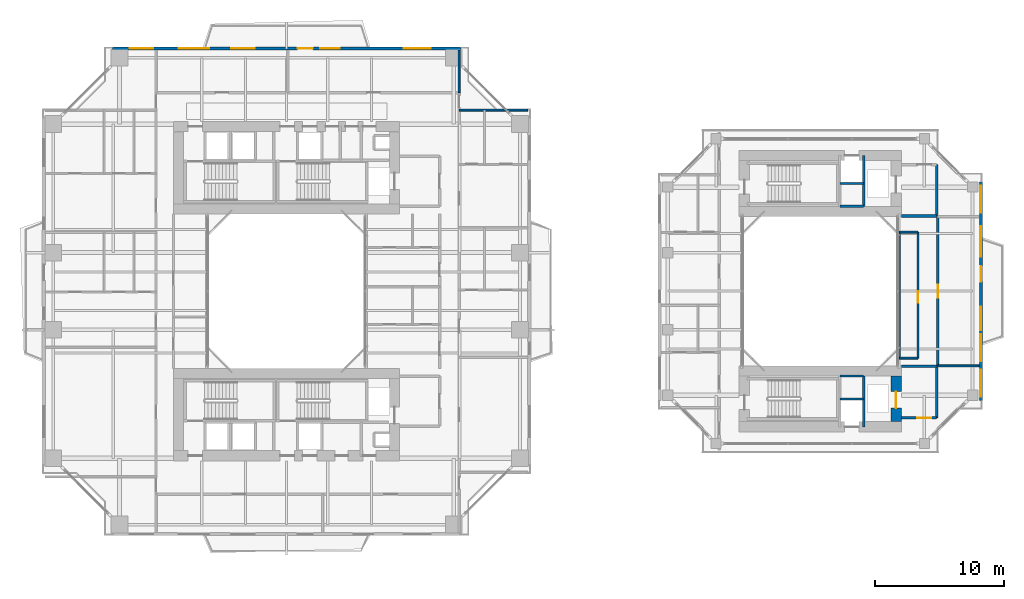
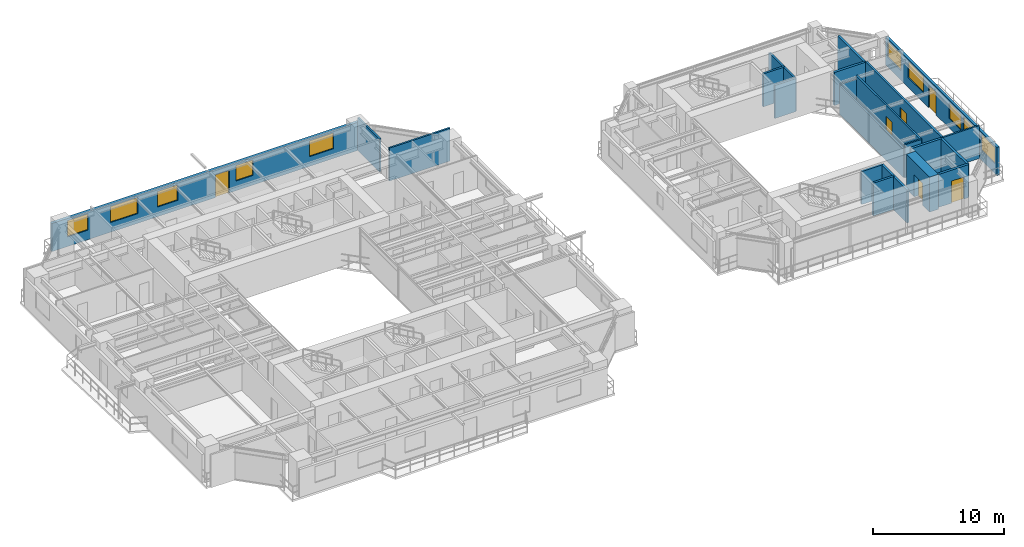
# One storey, part 18 of 23: 22 walls, 10 windows, 6 doors, 16 openings.
"""IFC4 building model written with IfcOpenShell, lengths in metres."""

from ifc_helpers import new_model, si_unit, direction, frame, frame_2d, origin, place, context, subcontext, project, spatial, rectangle, extrude, source, transform, mapped, material, layer, layer_set, type_object, element, fill, save


model = new_model("IFC4")

# Units and contexts
model_context = context("Model", 3, precision=1e-05, world=origin(), true_north=direction((0.0, 1.0)))
body_context = subcontext(model_context, "Body", "Model", "MODEL_VIEW")
ifc_project = project(units=[si_unit("LENGTHUNIT", "METRE"), si_unit("AREAUNIT", "SQUARE_METRE"), si_unit("VOLUMEUNIT", "CUBIC_METRE"), si_unit("PLANEANGLEUNIT", "RADIAN"), si_unit("MASSUNIT", "GRAM", prefix="KILO"), si_unit("THERMODYNAMICTEMPERATUREUNIT", "KELVIN"), si_unit("POWERUNIT", "WATT")], contexts=[model_context])

# Site, building, storey
site_placement = place(None, origin())
site = spatial("IfcSite", under=ifc_project, at=site_placement, CompositionType="ELEMENT")
building_placement = place(site_placement, origin())
building = spatial("IfcBuilding", under=site, at=building_placement, Name="Qiaomeng Ring Towers", CompositionType="ELEMENT")
storey_placement = place(building_placement, frame((0.0, 0.0, 79.5)))
storey = spatial("IfcBuildingStorey", under=building, at=storey_placement, Name="L22", CompositionType="ELEMENT", Elevation=79.5)

# Wall, openings, windows, door
ifc_material_1 = material(Name="Precast concrete C40", Category="concrete")
ifc_layer_1 = layer(ifc_material_1, 0.25, Name="Precast concrete C40")
ifc_layer_set_1 = layer_set([ifc_layer_1], Name="Precast concrete C40")
wall_type_1 = type_object("IfcWallType", Name="ARC-WL-EW1", PredefinedType="STANDARD", material=ifc_layer_set_1)
wall_1_placement = place(storey_placement, frame((5.449951171875, 41.875, 0.0), z_axis=(0.0, 0.0, 1.0), x_axis=(1.0, 0.0, 0.0)))
wall_1 = element("IfcWall", 1, at=wall_1_placement, inside=storey, type_object=wall_type_1, Name="L22 Tower 1 N Exterior Wall", PredefinedType="STANDARD", context=body_context, shape_type="SweptSolid", body=[
    extrude(rectangle(XDim=27.10009765625, YDim=0.25, at=frame_2d((13.550048828125, 0.0))), origin(), (0.0, 0.0, 1.0), 2.610107421875),
])
opening_1_placement = place(wall_1_placement, frame((14.39990234375, 0.0, 0.0)))
opening_1 = element("IfcOpeningElement", 2, at=opening_1_placement, cuts=wall_1, Name="Opening BD1", PredefinedType="OPENING", context=body_context, shape_type="SweptSolid", body=[
    extrude(rectangle(XDim=1.199951171875, YDim=2.10009765625, at=frame_2d((0.60009765625, 1.050048828125))), frame((0.0, 0.135009765625, 0.0), z_axis=(0.0, -1.0, 0.0), x_axis=(1.0, 0.0, 0.0)), (0.0, 0.0, 1.0), 0.27001953125),
])
opening_2_placement = place(wall_1_placement, frame((1.364990234375, 0.0, 0.89990234375)))
opening_2 = element("IfcOpeningElement", 3, at=opening_2_placement, cuts=wall_1, Name="Opening WN1", PredefinedType="OPENING", context=body_context, shape_type="SweptSolid", body=[
    extrude(rectangle(XDim=1.800048828125, YDim=1.5, at=frame_2d((0.89990234375, 0.75))), frame((0.0, 0.135009765625, 0.0), z_axis=(0.0, -1.0, 0.0), x_axis=(1.0, 0.0, 0.0)), (0.0, 0.0, 1.0), 0.27001953125),
])
opening_3_placement = place(wall_1_placement, frame((9.262939453125, 0.0, 0.89990234375)))
opening_3 = element("IfcOpeningElement", 4, at=opening_3_placement, cuts=wall_1, Name="Opening WN1", PredefinedType="OPENING", context=body_context, shape_type="SweptSolid", body=[
    extrude(rectangle(XDim=1.800048828125, YDim=1.449951171875, at=frame_2d((0.89990234375, 0.72509765625))), frame((0.0, 0.135009765625, 0.0), z_axis=(0.0, -1.0, 0.0), x_axis=(1.0, 0.0, 0.0)), (0.0, 0.0, 1.0), 0.27001953125),
])
opening_4_placement = place(wall_1_placement, frame((16.18798828125, 0.0, 0.89990234375)))
opening_4 = element("IfcOpeningElement", 5, at=opening_4_placement, cuts=wall_1, Name="Opening WN2", PredefinedType="OPENING", context=body_context, shape_type="SweptSolid", body=[
    extrude(rectangle(XDim=1.5, YDim=1.449951171875, at=frame_2d((0.75, 0.72509765625))), frame((0.0, 0.135009765625, 0.0), z_axis=(0.0, -1.0, 0.0), x_axis=(1.0, 0.0, 0.0)), (0.0, 0.0, 1.0), 0.27001953125),
])
opening_5_placement = place(wall_1_placement, frame((22.6630859375, 0.0, 0.89990234375)))
opening_5 = element("IfcOpeningElement", 6, at=opening_5_placement, cuts=wall_1, Name="Opening WN4", PredefinedType="OPENING", context=body_context, shape_type="SweptSolid", body=[
    extrude(rectangle(XDim=2.10009765625, YDim=1.47998046875, at=frame_2d((1.050048828125, 0.739990234375))), frame((0.0, 0.135009765625, 0.0), z_axis=(0.0, -1.0, 0.0), x_axis=(1.0, 0.0, 0.0)), (0.0, 0.0, 1.0), 0.27001953125),
])
opening_6_placement = place(wall_1_placement, frame((5.14892578125, 0.0, 0.89990234375)))
opening_6 = element("IfcOpeningElement", 7, at=opening_6_placement, cuts=wall_1, Name="Opening WN6", PredefinedType="OPENING", context=body_context, shape_type="SweptSolid", body=[
    extrude(rectangle(XDim=2.39990234375, YDim=1.5, at=frame_2d((1.199951171875, 0.75))), frame((0.0, 0.135009765625, 0.0), z_axis=(0.0, -1.0, 0.0), x_axis=(1.0, 0.0, 0.0)), (0.0, 0.0, 1.0), 0.27001953125),
])
ifc_material_2 = material(Name="Low-E dark-grey laminated double glazing", Category="glass")
window_type_1 = type_object("IfcWindowType", Name="ARC-WN-2", PartitioningType="DOUBLE_PANEL_VERTICAL", PredefinedType="WINDOW", material=ifc_material_2)
shared_shape_1 = source(origin(), body_context, "Body", "SweptSolid", [
    extrude(rectangle(XDim=1.5, YDim=1.449951171875, at=frame_2d((0.75, 0.72509765625))), frame((0.0, 0.030029296875, 0.0), z_axis=(0.0, -1.0, 0.0), x_axis=(1.0, 0.0, 0.0)), (0.0, 0.0, 1.0), 0.06005859375),
])
window_1_placement = place(opening_4_placement, origin())
window_1 = element("IfcWindow", 8, at=window_1_placement, inside=storey, type_object=window_type_1, Name="L22 Exterior Window WN2", OverallHeight=1.449951171875, OverallWidth=1.5, PartitioningType="DOUBLE_PANEL_VERTICAL", PredefinedType="WINDOW", context=body_context, shape_type="MappedRepresentation", body=[
    mapped(shared_shape_1, transform((0.0, 0.0, 0.0), x_axis=(1.0, 0.0, 0.0), y_axis=(0.0, 1.0, 0.0), z_axis=(0.0, 0.0, 1.0), scale=1.0)),
])
fill(opening_4, window_1)
window_type_2 = type_object("IfcWindowType", Name="ARC-WN-4", PartitioningType="TRIPLE_PANEL_VERTICAL", PredefinedType="WINDOW", material=ifc_material_2)
shared_shape_2 = source(origin(), body_context, "Body", "SweptSolid", [
    extrude(rectangle(XDim=2.10009765625, YDim=1.47998046875, at=frame_2d((1.050048828125, 0.739990234375))), frame((0.0, 0.030029296875, 0.0), z_axis=(0.0, -1.0, 0.0), x_axis=(1.0, 0.0, 0.0)), (0.0, 0.0, 1.0), 0.06005859375),
])
window_2_placement = place(opening_5_placement, origin())
window_2 = element("IfcWindow", 9, at=window_2_placement, inside=storey, type_object=window_type_2, Name="L22 Exterior Window WN4", OverallHeight=1.47998046875, OverallWidth=2.10009765625, PartitioningType="TRIPLE_PANEL_VERTICAL", PredefinedType="WINDOW", context=body_context, shape_type="MappedRepresentation", body=[
    mapped(shared_shape_2, transform((0.0, 0.0, 0.0), x_axis=(1.0, 0.0, 0.0), y_axis=(0.0, 1.0, 0.0), z_axis=(0.0, 0.0, 1.0), scale=1.0)),
])
fill(opening_5, window_2)
window_type_3 = type_object("IfcWindowType", Name="ARC-WN-1", PartitioningType="DOUBLE_PANEL_VERTICAL", PredefinedType="WINDOW", material=ifc_material_2)
shared_shape_3 = source(origin(), body_context, "Body", "SweptSolid", [
    extrude(rectangle(XDim=1.800048828125, YDim=1.449951171875, at=frame_2d((0.89990234375, 0.72509765625))), frame((0.0, 0.030029296875, 0.0), z_axis=(0.0, -1.0, 0.0), x_axis=(1.0, 0.0, 0.0)), (0.0, 0.0, 1.0), 0.06005859375),
])
window_3_placement = place(opening_3_placement, origin())
window_3 = element("IfcWindow", 10, at=window_3_placement, inside=storey, type_object=window_type_3, Name="L22 Exterior Window WN1", OverallHeight=1.449951171875, OverallWidth=1.800048828125, PartitioningType="DOUBLE_PANEL_VERTICAL", PredefinedType="WINDOW", context=body_context, shape_type="MappedRepresentation", body=[
    mapped(shared_shape_3, transform((0.0, 0.0, 0.0), x_axis=(1.0, 0.0, 0.0), y_axis=(0.0, 1.0, 0.0), z_axis=(0.0, 0.0, 1.0), scale=1.0)),
])
fill(opening_3, window_3)
door_type_1 = type_object("IfcDoorType", Name="ARC-DR-BD1", OperationType="NOTDEFINED", PredefinedType="DOOR", material=ifc_material_2)
shared_shape_4 = source(origin(), body_context, "Body", "SweptSolid", [
    extrude(rectangle(XDim=1.199951171875, YDim=2.10009765625, at=frame_2d((0.60009765625, 1.050048828125))), frame((0.0, 0.02490234375, 0.0), z_axis=(0.0, -1.0, 0.0), x_axis=(1.0, 0.0, 0.0)), (0.0, 0.0, 1.0), 0.050048828125),
])
door_1_placement = place(opening_1_placement, origin())
door_1 = element("IfcDoor", 11, at=door_1_placement, inside=storey, type_object=door_type_1, Name="L22 N Balcony Glazed Door", OperationType="SINGLE_SWING_LEFT", OverallHeight=2.10009765625, OverallWidth=1.199951171875, PredefinedType="DOOR", context=body_context, shape_type="MappedRepresentation", body=[
    mapped(shared_shape_4, transform((0.0, 0.0, 0.0), x_axis=(1.0, 0.0, 0.0), y_axis=(0.0, 1.0, 0.0), z_axis=(0.0, 0.0, 1.0), scale=1.0)),
])
fill(opening_1, door_1)
window_type_4 = type_object("IfcWindowType", Name="ARC-WN-6", PartitioningType="TRIPLE_PANEL_VERTICAL", PredefinedType="WINDOW", material=ifc_material_2)
shared_shape_5 = source(origin(), body_context, "Body", "SweptSolid", [
    extrude(rectangle(XDim=2.39990234375, YDim=1.5, at=frame_2d((1.199951171875, 0.75))), frame((0.0, 0.030029296875, 0.0), z_axis=(0.0, -1.0, 0.0), x_axis=(1.0, 0.0, 0.0)), (0.0, 0.0, 1.0), 0.06005859375),
])
window_4_placement = place(opening_6_placement, origin())
window_4 = element("IfcWindow", 12, at=window_4_placement, inside=storey, type_object=window_type_4, Name="L22 Exterior Window WN6", OverallHeight=1.5, OverallWidth=2.39990234375, PartitioningType="TRIPLE_PANEL_VERTICAL", PredefinedType="WINDOW", context=body_context, shape_type="MappedRepresentation", body=[
    mapped(shared_shape_5, transform((0.0, 0.0, 0.0), x_axis=(1.0, 0.0, 0.0), y_axis=(0.0, 1.0, 0.0), z_axis=(0.0, 0.0, 1.0), scale=1.0)),
])
fill(opening_6, window_4)
shared_shape_6 = source(origin(), body_context, "Body", "SweptSolid", [
    extrude(rectangle(XDim=1.800048828125, YDim=1.5, at=frame_2d((0.89990234375, 0.75))), frame((0.0, 0.030029296875, 0.0), z_axis=(0.0, -1.0, 0.0), x_axis=(1.0, 0.0, 0.0)), (0.0, 0.0, 1.0), 0.06005859375),
])
window_5_placement = place(opening_2_placement, origin())
window_5 = element("IfcWindow", 13, at=window_5_placement, inside=storey, type_object=window_type_3, Name="L22 Exterior Window WN6", OverallHeight=1.5, OverallWidth=1.800048828125, PartitioningType="TRIPLE_PANEL_VERTICAL", PredefinedType="WINDOW", context=body_context, shape_type="MappedRepresentation", body=[
    mapped(shared_shape_6, transform((0.0, 0.0, 0.0), x_axis=(1.0, 0.0, 0.0), y_axis=(0.0, 1.0, 0.0), z_axis=(0.0, 0.0, 1.0), scale=1.0)),
])
fill(opening_2, window_5)

ifc_layer_2 = layer(ifc_material_1, 0.219970703125, Name="Precast concrete C40")
ifc_layer_set_2 = layer_set([ifc_layer_2], Name="Precast concrete C40")
wall_type_2 = type_object("IfcWallType", Name="ARC-WL-EW2", PredefinedType="STANDARD", material=ifc_layer_set_2)
wall_2_placement = place(storey_placement, frame((72.989990234375, 14.5, 0.0), z_axis=(0.0, 0.0, 1.0), x_axis=(0.0, 1.0, 0.0)))
wall_2 = element("IfcWall", 14, at=wall_2_placement, inside=storey, type_object=wall_type_2, Name="L22 Companion East Wall", PredefinedType="STANDARD", context=body_context, shape_type="SweptSolid", body=[
    extrude(rectangle(XDim=17.0, YDim=0.219970703125, at=frame_2d((8.5, 0.0))), origin(), (0.0, 0.0, 1.0), 2.610107421875),
])
opening_7_placement = place(wall_2_placement, frame((9.25, 0.0, 0.0)))
opening_7 = element("IfcOpeningElement", 15, at=opening_7_placement, cuts=wall_2, Name="Opening BD1", PredefinedType="OPENING", context=body_context, shape_type="SweptSolid", body=[
    extrude(rectangle(XDim=1.199951171875, YDim=2.10009765625, at=frame_2d((0.60009765625, 1.050048828125))), frame((0.0, 0.119873046875, 0.0), z_axis=(0.0, -1.0, 0.0), x_axis=(1.0, 0.0, 0.0)), (0.0, 0.0, 1.0), 0.239990234375),
])
opening_8_placement = place(wall_2_placement, frame((0.3076171875, 0.0, 0.89990234375)))
opening_8 = element("IfcOpeningElement", 16, at=opening_8_placement, cuts=wall_2, Name="Opening WN4", PredefinedType="OPENING", context=body_context, shape_type="SweptSolid", body=[
    extrude(rectangle(XDim=2.10009765625, YDim=1.5, at=frame_2d((1.050048828125, 0.75))), frame((0.0, 0.119873046875, 0.0), z_axis=(0.0, -1.0, 0.0), x_axis=(1.0, 0.0, 0.0)), (0.0, 0.0, 1.0), 0.239990234375),
])
opening_9_placement = place(wall_2_placement, frame((5.47509765625, 0.0, 0.89990234375)))
opening_9 = element("IfcOpeningElement", 17, at=opening_9_placement, cuts=wall_2, Name="Opening WN1", PredefinedType="OPENING", context=body_context, shape_type="SweptSolid", body=[
    extrude(rectangle(XDim=1.800048828125, YDim=1.449951171875, at=frame_2d((0.89990234375, 0.72509765625))), frame((0.0, 0.119873046875, 0.0), z_axis=(0.0, -1.0, 0.0), x_axis=(1.0, 0.0, 0.0)), (0.0, 0.0, 1.0), 0.239990234375),
])
opening_10_placement = place(wall_2_placement, frame((14.592529296875, 0.0, 0.89990234375)))
opening_10 = element("IfcOpeningElement", 18, at=opening_10_placement, cuts=wall_2, Name="Opening WN4", PredefinedType="OPENING", context=body_context, shape_type="SweptSolid", body=[
    extrude(rectangle(XDim=2.10009765625, YDim=1.5, at=frame_2d((1.050048828125, 0.75))), frame((0.0, 0.119873046875, 0.0), z_axis=(0.0, -1.0, 0.0), x_axis=(1.0, 0.0, 0.0)), (0.0, 0.0, 1.0), 0.239990234375),
])
opening_11_placement = place(wall_2_placement, frame((3.054931640625, 0.0, 0.89990234375)))
opening_11 = element("IfcOpeningElement", 19, at=opening_11_placement, cuts=wall_2, Name="Opening WN4", PredefinedType="OPENING", context=body_context, shape_type="SweptSolid", body=[
    extrude(rectangle(XDim=2.10009765625, YDim=1.5, at=frame_2d((1.050048828125, 0.75))), frame((0.0, 0.119873046875, 0.0), z_axis=(0.0, -1.0, 0.0), x_axis=(1.0, 0.0, 0.0)), (0.0, 0.0, 1.0), 0.239990234375),
])
opening_12_placement = place(wall_2_placement, frame((11.16748046875, 0.0, 0.89990234375)))
opening_12 = element("IfcOpeningElement", 20, at=opening_12_placement, cuts=wall_2, Name="Opening WN6", PredefinedType="OPENING", context=body_context, shape_type="SweptSolid", body=[
    extrude(rectangle(XDim=2.39990234375, YDim=1.5, at=frame_2d((1.199951171875, 0.75))), frame((0.0, 0.119873046875, 0.0), z_axis=(0.0, -1.0, 0.0), x_axis=(1.0, 0.0, 0.0)), (0.0, 0.0, 1.0), 0.239990234375),
])
shared_shape_7 = source(origin(), body_context, "Body", "SweptSolid", [
    extrude(rectangle(XDim=2.10009765625, YDim=1.5, at=frame_2d((1.050048828125, 0.75))), frame((0.0, 0.030029296875, 0.0), z_axis=(0.0, -1.0, 0.0), x_axis=(1.0, 0.0, 0.0)), (0.0, 0.0, 1.0), 0.06005859375),
])
window_6_placement = place(opening_8_placement, origin())
window_6 = element("IfcWindow", 21, at=window_6_placement, inside=storey, type_object=window_type_2, Name="L22 Exterior Window WN6", OverallHeight=1.5, OverallWidth=2.10009765625, PartitioningType="TRIPLE_PANEL_VERTICAL", PredefinedType="WINDOW", context=body_context, shape_type="MappedRepresentation", body=[
    mapped(shared_shape_7, transform((0.0, 0.0, 0.0), x_axis=(1.0, 0.0, 0.0), y_axis=(0.0, 1.0, 0.0), z_axis=(0.0, 0.0, 1.0), scale=1.0)),
])
fill(opening_8, window_6)
window_7_placement = place(opening_10_placement, origin())
window_7 = element("IfcWindow", 22, at=window_7_placement, inside=storey, type_object=window_type_2, Name="L22 Exterior Window WN4", OverallHeight=1.5, OverallWidth=2.10009765625, PartitioningType="TRIPLE_PANEL_VERTICAL", PredefinedType="WINDOW", context=body_context, shape_type="MappedRepresentation", body=[
    mapped(shared_shape_7, transform((0.0, 0.0, 0.0), x_axis=(1.0, 0.0, 0.0), y_axis=(0.0, 1.0, 0.0), z_axis=(0.0, 0.0, 1.0), scale=1.0)),
])
fill(opening_10, window_7)
window_8_placement = place(opening_11_placement, origin())
window_8 = element("IfcWindow", 23, at=window_8_placement, inside=storey, type_object=window_type_2, Name="L22 Exterior Window WN4", OverallHeight=1.5, OverallWidth=2.10009765625, PartitioningType="TRIPLE_PANEL_VERTICAL", PredefinedType="WINDOW", context=body_context, shape_type="MappedRepresentation", body=[
    mapped(shared_shape_7, transform((0.0, 0.0, 0.0), x_axis=(1.0, 0.0, 0.0), y_axis=(0.0, 1.0, 0.0), z_axis=(0.0, 0.0, 1.0), scale=1.0)),
])
fill(opening_11, window_8)
window_9_placement = place(opening_9_placement, origin())
window_9 = element("IfcWindow", 24, at=window_9_placement, inside=storey, type_object=window_type_3, Name="L22 Exterior Window WN1", OverallHeight=1.449951171875, OverallWidth=1.800048828125, PartitioningType="DOUBLE_PANEL_VERTICAL", PredefinedType="WINDOW", context=body_context, shape_type="MappedRepresentation", body=[
    mapped(shared_shape_3, transform((0.0, 0.0, 0.0), x_axis=(1.0, 0.0, 0.0), y_axis=(0.0, 1.0, 0.0), z_axis=(0.0, 0.0, 1.0), scale=1.0)),
])
fill(opening_9, window_9)
door_2_placement = place(opening_7_placement, origin())
door_2 = element("IfcDoor", 25, at=door_2_placement, inside=storey, type_object=door_type_1, Name="L22 Companion East Balcony Door", OperationType="SINGLE_SWING_LEFT", OverallHeight=2.10009765625, OverallWidth=1.199951171875, PredefinedType="DOOR", context=body_context, shape_type="MappedRepresentation", body=[
    mapped(shared_shape_4, transform((0.0, 0.0, 0.0), x_axis=(1.0, 0.0, 0.0), y_axis=(0.0, 1.0, 0.0), z_axis=(0.0, 0.0, 1.0), scale=1.0)),
])
fill(opening_7, door_2)
window_10_placement = place(opening_12_placement, origin())
window_10 = element("IfcWindow", 26, at=window_10_placement, inside=storey, type_object=window_type_4, Name="L22 Exterior Window WN6", OverallHeight=1.5, OverallWidth=2.39990234375, PartitioningType="TRIPLE_PANEL_VERTICAL", PredefinedType="WINDOW", context=body_context, shape_type="MappedRepresentation", body=[
    mapped(shared_shape_5, transform((0.0, 0.0, 0.0), x_axis=(1.0, 0.0, 0.0), y_axis=(0.0, 1.0, 0.0), z_axis=(0.0, 0.0, 1.0), scale=1.0)),
])
fill(opening_12, window_10)

# Walls
ifc_material_3 = material(Name="Autoclaved aerated concrete block", Category="concrete")
ifc_layer_3 = layer(ifc_material_3, 0.199951171875, Name="Autoclaved aerated concrete block")
ifc_layer_set_3 = layer_set([ifc_layer_3], Name="Autoclaved aerated concrete block")
wall_type_3 = type_object("IfcWallType", Name="ARC-WL-PW1", PredefinedType="PARTITIONING", material=ifc_layer_set_3)
wall_3_placement = place(storey_placement, frame((66.800048828125, 28.85009765625, 0.0), z_axis=(0.0, 0.0, 1.0), x_axis=(1.0, 0.0, 0.0)))
element("IfcWall", 27, at=wall_3_placement, inside=storey, type_object=wall_type_3, Name="L22 Interior Wall PW1", PredefinedType="PARTITIONING", context=body_context, shape_type="SweptSolid", body=[
    extrude(rectangle(XDim=2.75, YDim=0.199951171875, at=frame_2d((1.375, 0.0))), origin(), (0.0, 0.0, 1.0), 3.070068359375),
])
wall_4_placement = place(storey_placement, frame((69.550048828125, 28.85009765625, 0.0), z_axis=(0.0, 0.0, 1.0), x_axis=(0.0, 1.0, 0.0)))
element("IfcWall", 28, at=wall_4_placement, inside=storey, type_object=wall_type_3, Name="L22 Interior Wall PW1", PredefinedType="PARTITIONING", context=body_context, shape_type="SweptSolid", body=[
    extrude(rectangle(XDim=4.0, YDim=0.199951171875, at=frame_2d((2.0, 0.0))), origin(), (0.0, 0.0, 1.0), 3.070068359375),
])
wall_5_placement = place(storey_placement, frame((66.800048828125, 17.14990234375, 0.0), z_axis=(0.0, 0.0, 1.0), x_axis=(1.0, 0.0, 0.0)))
element("IfcWall", 29, at=wall_5_placement, inside=storey, type_object=wall_type_3, Name="L22 Interior Wall PW1", PredefinedType="PARTITIONING", context=body_context, shape_type="SweptSolid", body=[
    extrude(rectangle(XDim=2.75, YDim=0.199951171875, at=frame_2d((1.375, 0.0))), origin(), (0.0, 0.0, 1.0), 3.070068359375),
])
wall_6_placement = place(storey_placement, frame((69.550048828125, 13.14990234375, 0.0), z_axis=(0.0, 0.0, 1.0), x_axis=(0.0, 1.0, 0.0)))
element("IfcWall", 30, at=wall_6_placement, inside=storey, type_object=wall_type_3, Name="L22 Interior Wall PW1", PredefinedType="PARTITIONING", context=body_context, shape_type="SweptSolid", body=[
    extrude(rectangle(XDim=4.0, YDim=0.199951171875, at=frame_2d((2.0, 0.0))), origin(), (0.0, 0.0, 1.0), 3.070068359375),
])

# Wall, opening, door
wall_7_placement = place(storey_placement, frame((66.800048828125, 13.14990234375, 0.0), z_axis=(0.0, 0.0, 1.0), x_axis=(1.0, 0.0, 0.0)))
wall_7 = element("IfcWall", 31, at=wall_7_placement, inside=storey, type_object=wall_type_3, Name="L22 Interior Wall PW1", PredefinedType="PARTITIONING", context=body_context, shape_type="SweptSolid", body=[
    extrude(rectangle(XDim=2.75, YDim=0.199951171875, at=frame_2d((1.375, 0.0))), origin(), (0.0, 0.0, 1.0), 3.070068359375),
])
opening_13_placement = place(wall_7_placement, frame((1.25, 0.0, 0.0)))
opening_13 = element("IfcOpeningElement", 32, at=opening_13_placement, cuts=wall_7, Name="Opening FD3", PredefinedType="OPENING", context=body_context, shape_type="SweptSolid", body=[
    extrude(rectangle(XDim=1.10009765625, YDim=2.050048828125, at=frame_2d((0.550048828125, 1.02490234375))), frame((0.0, 0.10986328125, 0.0), z_axis=(0.0, -1.0, 0.0), x_axis=(1.0, 0.0, 0.0)), (0.0, 0.0, 1.0), 0.219970703125),
])
ifc_material_4 = material(Name="Galvanised steel", Category="steel")
door_type_2 = type_object("IfcDoorType", Name="ARC-DR-FD3", OperationType="NOTDEFINED", PredefinedType="DOOR", material=ifc_material_4)
shared_shape_8 = source(origin(), body_context, "Body", "SweptSolid", [
    extrude(rectangle(XDim=1.10009765625, YDim=2.050048828125, at=frame_2d((0.550048828125, 1.02490234375))), frame((0.0, 0.02490234375, 0.0), z_axis=(0.0, -1.0, 0.0), x_axis=(1.0, 0.0, 0.0)), (0.0, 0.0, 1.0), 0.050048828125),
])
door_3_placement = place(opening_13_placement, origin())
door_3 = element("IfcDoor", 33, at=door_3_placement, inside=storey, type_object=door_type_2, Name="L22 Door FD3", OperationType="SINGLE_SWING_LEFT", OverallHeight=2.050048828125, OverallWidth=1.10009765625, PredefinedType="DOOR", context=body_context, shape_type="MappedRepresentation", body=[
    mapped(shared_shape_8, transform((0.0, 0.0, 0.0), x_axis=(1.0, 0.0, 0.0), y_axis=(0.0, 1.0, 0.0), z_axis=(0.0, 0.0, 1.0), scale=1.0)),
])
fill(opening_13, door_3)

ifc_layer_4 = layer(ifc_material_3, 0.179931640625, Name="Autoclaved aerated concrete block")
ifc_layer_set_4 = layer_set([ifc_layer_4], Name="Autoclaved aerated concrete block")
wall_type_4 = type_object("IfcWallType", Name="ARC-WL-PW2", PredefinedType="PARTITIONING", material=ifc_layer_set_4)
wall_8_placement = place(storey_placement, frame((69.64990234375, 17.199951171875, 0.0), z_axis=(0.0, 0.0, 1.0), x_axis=(0.0, 1.0, 0.0)))
wall_8 = element("IfcWall", 34, at=wall_8_placement, inside=storey, type_object=wall_type_4, Name="L22 Interior Wall PW2", PredefinedType="PARTITIONING", context=body_context, shape_type="SweptSolid", body=[
    extrude(rectangle(XDim=11.60009765625, YDim=0.179931640625, at=frame_2d((5.800048828125, 0.0))), origin(), (0.0, 0.0, 1.0), 3.070068359375),
])
opening_14_placement = place(wall_8_placement, frame((5.300048828125, 0.0, 0.0)))
opening_14 = element("IfcOpeningElement", 35, at=opening_14_placement, cuts=wall_8, Name="Opening FD4", PredefinedType="OPENING", context=body_context, shape_type="SweptSolid", body=[
    extrude(rectangle(XDim=1.0, YDim=2.050048828125, at=frame_2d((0.5, 1.02490234375))), frame((0.0, 0.099853515625, 0.0), z_axis=(0.0, -1.0, 0.0), x_axis=(1.0, 0.0, 0.0)), (0.0, 0.0, 1.0), 0.199951171875),
])
ifc_material_5 = material(Name="Engineered fire-rated oak timber", Category="wood")
door_type_3 = type_object("IfcDoorType", Name="ARC-DR-FD4", OperationType="NOTDEFINED", PredefinedType="DOOR", material=ifc_material_5)
shared_shape_9 = source(origin(), body_context, "Body", "SweptSolid", [
    extrude(rectangle(XDim=1.0, YDim=2.050048828125, at=frame_2d((0.5, 1.02490234375))), frame((0.0, 0.02490234375, 0.0), z_axis=(0.0, -1.0, 0.0), x_axis=(1.0, 0.0, 0.0)), (0.0, 0.0, 1.0), 0.050048828125),
])
door_4_placement = place(opening_14_placement, origin())
door_4 = element("IfcDoor", 36, at=door_4_placement, inside=storey, type_object=door_type_3, Name="L22 Door FD4", OperationType="SINGLE_SWING_LEFT", OverallHeight=2.050048828125, OverallWidth=1.0, PredefinedType="DOOR", context=body_context, shape_type="MappedRepresentation", body=[
    mapped(shared_shape_9, transform((0.0, 0.0, 0.0), x_axis=(1.0, 0.0, 0.0), y_axis=(0.0, 1.0, 0.0), z_axis=(0.0, 0.0, 1.0), scale=1.0)),
])
fill(opening_14, door_4)

# Walls
ifc_material_6 = material(Name="Gypsum fireboard steel-stud partition", Category="steel")
ifc_layer_5 = layer(ifc_material_6, 0.14990234375, Name="Gypsum fireboard steel-stud partition")
ifc_layer_set_5 = layer_set([ifc_layer_5], Name="Gypsum fireboard steel-stud partition")
wall_type_5 = type_object("IfcWallType", Name="ARC-WL-PW3", PredefinedType="PARTITIONING", material=ifc_layer_set_5)
wall_9_placement = place(storey_placement, frame((32.419921875, 38.43994140625, 0.0), z_axis=(0.0, 0.0, 1.0), x_axis=(0.0, 1.0, 0.0)))
element("IfcWall", 37, at=wall_9_placement, inside=storey, type_object=wall_type_5, Name="L22 Interior Wall PW3", PredefinedType="PARTITIONING", context=body_context, shape_type="SweptSolid", body=[
    extrude(rectangle(XDim=3.31005859375, YDim=0.14990234375, at=frame_2d((1.655029296875, 0.0))), origin(), (0.0, 0.0, 1.0), 3.070068359375),
])
wall_10_placement = place(storey_placement, frame((32.419921875, 37.080078125, 0.0), z_axis=(0.0, 0.0, 1.0), x_axis=(1.0, 0.0, 0.0)))
element("IfcWall", 38, at=wall_10_placement, inside=storey, type_object=wall_type_5, Name="L22 Interior Wall PW3", PredefinedType="PARTITIONING", context=body_context, shape_type="SweptSolid", body=[
    extrude(rectangle(XDim=5.330078125, YDim=0.14990234375, at=frame_2d((2.6650390625, 0.0))), origin(), (0.0, 0.0, 1.0), 3.070068359375),
])
wall_11_placement = place(storey_placement, frame((69.64990234375, 17.199951171875, 0.0), z_axis=(0.0, 0.0, 1.0), x_axis=(1.0, 0.0, 0.0)))
element("IfcWall", 39, at=wall_11_placement, inside=storey, type_object=wall_type_5, Name="L22 Interior Wall PW3", PredefinedType="PARTITIONING", context=body_context, shape_type="SweptSolid", body=[
    extrude(rectangle(XDim=3.2001953125, YDim=0.14990234375, at=frame_2d((1.60009765625, 0.0))), origin(), (0.0, 0.0, 1.0), 3.070068359375),
])

# Wall, opening, door
wall_12_placement = place(storey_placement, frame((68.10009765625, 17.800048828125, 0.0), z_axis=(0.0, 0.0, 1.0), x_axis=(0.0, 1.0, 0.0)))
wall_12 = element("IfcWall", 40, at=wall_12_placement, inside=storey, type_object=wall_type_5, Name="L22 Interior Wall PW3", PredefinedType="PARTITIONING", context=body_context, shape_type="SweptSolid", body=[
    extrude(rectangle(XDim=9.800048828125, YDim=0.14990234375, at=frame_2d((4.89990234375, 0.0))), origin(), (0.0, 0.0, 1.0), 3.070068359375),
])
opening_15_placement = place(wall_12_placement, frame((4.300048828125, 0.0, 0.0)))
opening_15 = element("IfcOpeningElement", 41, at=opening_15_placement, cuts=wall_12, Name="Opening ID1", PredefinedType="OPENING", context=body_context, shape_type="SweptSolid", body=[
    extrude(rectangle(XDim=0.89990234375, YDim=2.050048828125, at=frame_2d((0.449951171875, 1.02490234375))), frame((0.0, 0.0849609375, 0.0), z_axis=(0.0, -1.0, 0.0), x_axis=(1.0, 0.0, 0.0)), (0.0, 0.0, 1.0), 0.169921875),
])
ifc_material_7 = material(Name="Engineered oak timber", Category="wood")
door_type_4 = type_object("IfcDoorType", Name="ARC-DR-ID1", OperationType="NOTDEFINED", PredefinedType="DOOR", material=ifc_material_7)
shared_shape_10 = source(origin(), body_context, "Body", "SweptSolid", [
    extrude(rectangle(XDim=0.89990234375, YDim=2.050048828125, at=frame_2d((0.449951171875, 1.02490234375))), frame((0.0, 0.02490234375, 0.0), z_axis=(0.0, -1.0, 0.0), x_axis=(1.0, 0.0, 0.0)), (0.0, 0.0, 1.0), 0.050048828125),
])
door_5_placement = place(opening_15_placement, origin())
door_5 = element("IfcDoor", 42, at=door_5_placement, inside=storey, type_object=door_type_4, Name="L22 Door ID1", OperationType="SINGLE_SWING_RIGHT", OverallHeight=2.050048828125, OverallWidth=0.89990234375, PredefinedType="DOOR", context=body_context, shape_type="MappedRepresentation", body=[
    mapped(shared_shape_10, transform((0.0, 0.0, 0.0), x_axis=(1.0, 0.0, 0.0), y_axis=(0.0, 1.0, 0.0), z_axis=(0.0, 0.0, 1.0), scale=1.0)),
])
fill(opening_15, door_5)

# Walls
wall_13_placement = place(storey_placement, frame((66.64990234375, 27.60009765625, 0.0), z_axis=(0.0, 0.0, 1.0), x_axis=(1.0, 0.0, 0.0)))
element("IfcWall", 43, at=wall_13_placement, inside=storey, type_object=wall_type_5, Name="L22 Interior Wall PW3", PredefinedType="PARTITIONING", context=body_context, shape_type="SweptSolid", body=[
    extrude(rectangle(XDim=1.4501953125, YDim=0.14990234375, at=frame_2d((0.72509765625, 0.0))), origin(), (0.0, 0.0, 1.0), 2.764892578125),
])
wall_14_placement = place(storey_placement, frame((66.64990234375, 17.800048828125, 0.0), z_axis=(0.0, 0.0, 1.0), x_axis=(1.0, 0.0, 0.0)))
element("IfcWall", 44, at=wall_14_placement, inside=storey, type_object=wall_type_5, Name="L22 Interior Wall PW3", PredefinedType="PARTITIONING", context=body_context, shape_type="SweptSolid", body=[
    extrude(rectangle(XDim=1.4501953125, YDim=0.14990234375, at=frame_2d((0.72509765625, 0.0))), origin(), (0.0, 0.0, 1.0), 3.070068359375),
])
wall_15_placement = place(storey_placement, frame((66.64990234375, 17.800048828125, 0.0), z_axis=(0.0, 0.0, 1.0), x_axis=(0.0, 1.0, 0.0)))
element("IfcWall", 45, at=wall_15_placement, inside=storey, type_object=wall_type_5, Name="L22 Interior Wall PW3", PredefinedType="PARTITIONING", context=body_context, shape_type="SweptSolid", body=[
    extrude(rectangle(XDim=9.800048828125, YDim=0.14990234375, at=frame_2d((4.89990234375, 0.0))), origin(), (0.0, 0.0, 1.0), 2.6650390625),
])
ifc_material_8 = material(Name="Concrete C40", Category="concrete")
ifc_layer_6 = layer(ifc_material_8, 0.199951171875, Name="Concrete C40")
ifc_layer_set_6 = layer_set([ifc_layer_6], Name="Concrete C40")
wall_type_6 = type_object("IfcWallType", Name="STR-WL-STSHAFT", PredefinedType="SHEAR", material=ifc_layer_set_6)
wall_16_placement = place(storey_placement, frame((63.8798828125, 29.60009765625, 0.0), z_axis=(0.0, 0.0, 1.0), x_axis=(0.0, 1.0, 0.0)))
element("IfcWall", 46, at=wall_16_placement, inside=storey, type_object=wall_type_6, Name="L22 Companion Lift Shaft East Wall N", PredefinedType="SHEAR", context=body_context, shape_type="SweptSolid", body=[
    extrude(rectangle(XDim=3.949951171875, YDim=0.179931640625, at=frame_2d((1.97509765625, 0.0))), origin(), (0.0, 0.0, 1.0), 3.070068359375),
])
for number, where, z_axis, x_axis, name in (
    (47, (62.02001953125, 31.3798828125, 0.0), (0.0, 0.0, 1.0), (1.0, 0.0, 0.0), "L22 Companion Lift Shaft Divider Wall N"),
    (48, (62.02001953125, 29.60009765625, 0.0), (0.0, 0.0, 1.0), (1.0, 0.0, 0.0), "L22 Companion Riser Shaft Back Wall N"),
):
    element("IfcWall", number, at=place(storey_placement, frame(where, z_axis=z_axis, x_axis=x_axis)), inside=storey, type_object=wall_type_6, Name=name, PredefinedType="SHEAR", context=body_context, shape_type="SweptSolid", body=[
        extrude(rectangle(XDim=1.85986328125, YDim=0.179931640625, at=frame_2d((0.929931640625, 0.0))), origin(), (0.0, 0.0, 1.0), 3.070068359375),
    ])
wall_17_placement = place(storey_placement, frame((63.8798828125, 12.449951171875, 0.0), z_axis=(0.0, 0.0, 1.0), x_axis=(0.0, 1.0, 0.0)))
element("IfcWall", 49, at=wall_17_placement, inside=storey, type_object=wall_type_6, Name="L22 Companion Lift Shaft East Wall S", PredefinedType="SHEAR", context=body_context, shape_type="SweptSolid", body=[
    extrude(rectangle(XDim=3.949951171875, YDim=0.179931640625, at=frame_2d((1.97509765625, 0.0))), origin(), (0.0, 0.0, 1.0), 3.070068359375),
])
for number, where, z_axis, x_axis, name in (
    (50, (62.02001953125, 14.6201171875, 0.0), (0.0, 0.0, 1.0), (1.0, 0.0, 0.0), "L22 Companion Lift Shaft Divider Wall S"),
    (51, (62.02001953125, 16.39990234375, 0.0), (0.0, 0.0, 1.0), (1.0, 0.0, 0.0), "L22 Companion Riser Shaft Back Wall S"),
):
    element("IfcWall", number, at=place(storey_placement, frame(where, z_axis=z_axis, x_axis=x_axis)), inside=storey, type_object=wall_type_6, Name=name, PredefinedType="SHEAR", context=body_context, shape_type="SweptSolid", body=[
        extrude(rectangle(XDim=1.85986328125, YDim=0.179931640625, at=frame_2d((0.929931640625, 0.0))), origin(), (0.0, 0.0, 1.0), 3.070068359375),
    ])

# Wall, opening, door
ifc_material_9 = material(Name="Concrete C60", Category="concrete")
ifc_layer_7 = layer(ifc_material_9, 0.800048828125, Name="Concrete C60")
ifc_layer_set_7 = layer_set([ifc_layer_7], Name="Concrete C60")
wall_type_7 = type_object("IfcWallType", Name="STR-WL-SW1", PredefinedType="SHEAR", material=ifc_layer_set_7)
wall_18_placement = place(storey_placement, frame((66.39990234375, 12.85009765625, 0.0), z_axis=(0.0, 0.0, 1.0), x_axis=(0.0, 1.0, 0.0)))
wall_18 = element("IfcWall", 52, at=wall_18_placement, inside=storey, type_object=wall_type_7, Name="L22 T2SC east core shear wall", PredefinedType="SHEAR", context=body_context, shape_type="SweptSolid", body=[
    extrude(rectangle(XDim=3.5498046875, YDim=0.800048828125, at=frame_2d((1.77490234375, 0.0))), origin(), (0.0, 0.0, 1.0), 3.25),
])
opening_16_placement = place(wall_18_placement, frame((1.050048828125, 0.0, 0.0)))
opening_16 = element("IfcOpeningElement", 53, at=opening_16_placement, cuts=wall_18, Name="Opening LD2", PredefinedType="OPENING", context=body_context, shape_type="SweptSolid", body=[
    extrude(rectangle(XDim=1.300048828125, YDim=2.050048828125, at=frame_2d((0.64990234375, 1.02490234375))), frame((0.0, 0.409912109375, 0.0), z_axis=(0.0, -1.0, 0.0), x_axis=(1.0, 0.0, 0.0)), (0.0, 0.0, 1.0), 0.820068359375),
])
ifc_material_10 = material(Name="Stainless steel 316", Category="steel")
door_type_5 = type_object("IfcDoorType", Name="ARC-DR-LD2", OperationType="NOTDEFINED", PredefinedType="DOOR", material=ifc_material_10)
shared_shape_11 = source(origin(), body_context, "Body", "SweptSolid", [
    extrude(rectangle(XDim=1.300048828125, YDim=2.050048828125, at=frame_2d((0.64990234375, 1.02490234375))), frame((0.0, 0.02490234375, 0.0), z_axis=(0.0, -1.0, 0.0), x_axis=(1.0, 0.0, 0.0)), (0.0, 0.0, 1.0), 0.050048828125),
])
door_6_placement = place(opening_16_placement, origin())
door_6 = element("IfcDoor", 54, at=door_6_placement, inside=storey, type_object=door_type_5, Name="L22 Firefighting Lift FL4 Landing Door", OperationType="SLIDING_TO_RIGHT", OverallHeight=2.050048828125, OverallWidth=1.300048828125, PredefinedType="DOOR", context=body_context, shape_type="MappedRepresentation", body=[
    mapped(shared_shape_11, transform((0.0, 0.0, 0.0), x_axis=(1.0, 0.0, 0.0), y_axis=(0.0, 1.0, 0.0), z_axis=(0.0, 0.0, 1.0), scale=1.0)),
])
fill(opening_16, door_6)

save(model, "model.ifc")
